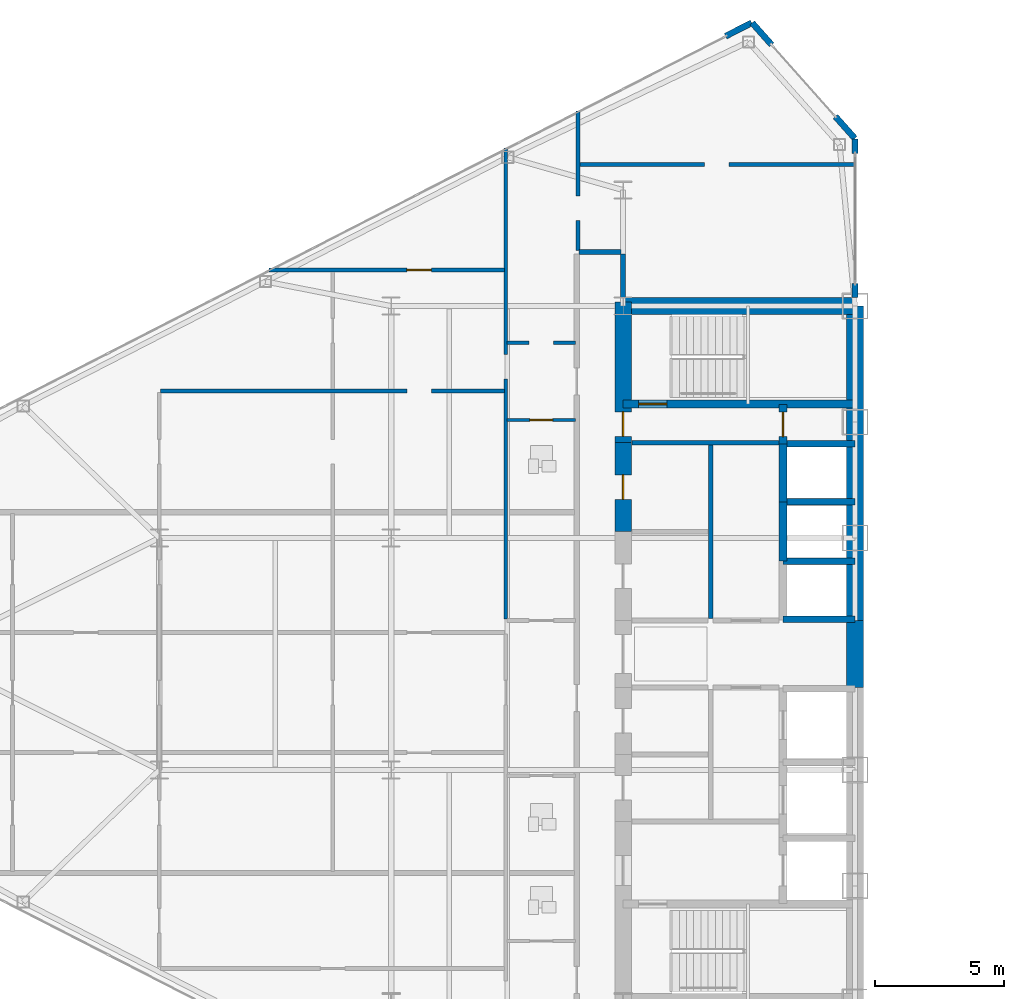
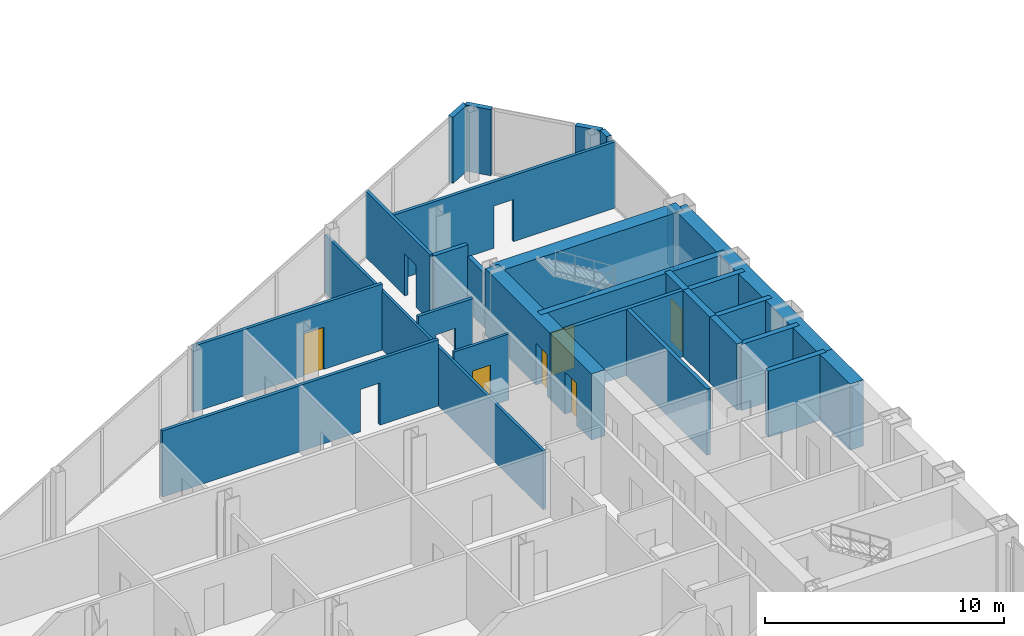
# One storey, part 18 of 24: 29 walls, 6 doors, 11 openings.
"""IFC4 building model written with IfcOpenShell, lengths in metres."""

from ifc_helpers import new_model, si_unit, direction, frame, frame_2d, origin, place, context, subcontext, project, spatial, rectangle, extrude, source, transform, mapped, material, layer, layer_set, type_object, type_shapes, element, fill, save


model = new_model("IFC4")

# Units and contexts
model_context = context("Model", 3, precision=1e-05, world=origin(), true_north=direction((0.0, 1.0)))
body_context = subcontext(model_context, "Body", "Model", "MODEL_VIEW")
ifc_project = project(units=[si_unit("LENGTHUNIT", "METRE"), si_unit("AREAUNIT", "SQUARE_METRE"), si_unit("VOLUMEUNIT", "CUBIC_METRE"), si_unit("PLANEANGLEUNIT", "RADIAN"), si_unit("MASSUNIT", "GRAM", prefix="KILO")], contexts=[model_context])

# Site, building, storey
site_placement = place(None, origin())
site = spatial("IfcSite", under=ifc_project, at=site_placement, CompositionType="ELEMENT")
building_placement = place(site_placement, origin())
building = spatial("IfcBuilding", under=site, at=building_placement, Name="Seokmaru Belvedere", CompositionType="ELEMENT")
storey_placement = place(building_placement, frame((0.0, 0.0, 114.0)))
storey = spatial("IfcBuildingStorey", under=building, at=storey_placement, Name="L30", CompositionType="ELEMENT", Elevation=114.0)

# Wall, opening
ifc_material_1 = material(Name="Fire-Rated Gypsum Shaftwall")
ifc_layer_1 = layer(ifc_material_1, 0.14990234375)
ifc_layer_set_1 = layer_set([ifc_layer_1], Name="Fire-Rated Gypsum Shaftwall")
wall_type_1 = type_object("IfcWallType", Name="Apartment Fire-Acoustic Room Partition 150", PredefinedType="PARTITIONING", material=ifc_layer_set_1)
wall_1_placement = place(storey_placement, frame((-54.449951171875, 10.199951171875, 0.0), z_axis=(0.0, 0.0, 1.0), x_axis=(1.0, 0.0, 0.0)))
wall_1 = element("IfcWall", 1, at=wall_1_placement, inside=storey, type_object=wall_type_1, Name="L30 Interior Partition 027", PredefinedType="PARTITIONING", context=body_context, shape_type="SweptSolid", body=[
    extrude(rectangle(XDim=13.349853515625, YDim=0.14990234375, at=frame_2d((6.6748046875, 0.0))), origin(), (0.0, 0.0, 1.0), 3.3798828125),
])
opening_1_placement = place(wall_1_placement, frame((9.5625, 0.0, 0.0)))
element("IfcOpeningElement", 2, at=opening_1_placement, cuts=wall_1, Name="L30 Cased Opening 029", PredefinedType="OPENING", context=body_context, shape_type="SweptSolid", body=[
    extrude(rectangle(XDim=0.949951171875, YDim=2.14990234375, at=frame_2d((0.47509765625, 1.074951171875))), frame((0.0, 0.0849609375, 0.0), z_axis=(0.0, -1.0, 0.0), x_axis=(1.0, 0.0, 0.0)), (0.0, 0.0, 1.0), 0.169921875),
])

wall_2_placement = place(storey_placement, frame((-41.0, 12.080078125, 0.0), z_axis=(0.0, 0.0, 1.0), x_axis=(1.0, 0.0, 0.0)))
wall_2 = element("IfcWall", 3, at=wall_2_placement, inside=storey, type_object=wall_type_1, Name="L30 Interior Partition 029", PredefinedType="PARTITIONING", context=body_context, shape_type="SweptSolid", body=[
    extrude(rectangle(XDim=2.64990234375, YDim=0.14990234375, at=frame_2d((1.324951171875, 0.0))), origin(), (0.0, 0.0, 1.0), 3.3798828125),
])
opening_2_placement = place(wall_2_placement, frame((0.85009765625, 0.0, 0.0)))
element("IfcOpeningElement", 4, at=opening_2_placement, cuts=wall_2, Name="L30 Cased Opening 027", PredefinedType="OPENING", context=body_context, shape_type="SweptSolid", body=[
    extrude(rectangle(XDim=0.949951171875, YDim=2.14990234375, at=frame_2d((0.47509765625, 1.074951171875))), frame((0.0, 0.0849609375, 0.0), z_axis=(0.0, -1.0, 0.0), x_axis=(1.0, 0.0, 0.0)), (0.0, 0.0, 1.0), 0.169921875),
])

# Wall, opening, door
wall_3_placement = place(storey_placement, frame((-50.242919921875, 14.89990234375, 0.0), z_axis=(0.0, 0.0, 1.0), x_axis=(1.0, 0.0, 0.0)))
wall_3 = element("IfcWall", 5, at=wall_3_placement, inside=storey, type_object=wall_type_1, Name="L30 Interior Partition 032", PredefinedType="PARTITIONING", context=body_context, shape_type="SweptSolid", body=[
    extrude(rectangle(XDim=9.142822265625, YDim=0.14990234375, at=frame_2d((4.5712890625, 0.0))), origin(), (0.0, 0.0, 1.0), 3.3798828125),
])
opening_3_placement = place(wall_3_placement, frame((5.35546875, 0.0, 0.0)))
opening_3 = element("IfcOpeningElement", 6, at=opening_3_placement, cuts=wall_3, Name="Opening D05", PredefinedType="OPENING", context=body_context, shape_type="SweptSolid", body=[
    extrude(rectangle(XDim=0.949951171875, YDim=2.14990234375, at=frame_2d((0.47509765625, 1.074951171875))), frame((0.0, 0.0849609375, 0.0), z_axis=(0.0, -1.0, 0.0), x_axis=(1.0, 0.0, 0.0)), (0.0, 0.0, 1.0), 0.169921875),
])
ifc_material_2 = material(Name="Engineered White Oak Timber", Category="wood")
door_type_1 = type_object("IfcDoorType", Name="Apartment Interior Fire-Rated Oak Door 950x2150", OperationType="NOTDEFINED", PredefinedType="DOOR", material=ifc_material_2)
shared_shape_1 = source(origin(), body_context, "Body", "SweptSolid", [
    extrude(rectangle(XDim=0.949951171875, YDim=2.14990234375, at=frame_2d((0.47509765625, 1.074951171875))), frame((0.0, 0.02490234375, 0.0), z_axis=(0.0, -1.0, 0.0), x_axis=(1.0, 0.0, 0.0)), (0.0, 0.0, 1.0), 0.050048828125),
])
type_shapes(door_type_1, [shared_shape_1])
door_1_placement = place(opening_3_placement, origin())
door_1 = element("IfcDoor", 7, at=door_1_placement, inside=storey, type_object=door_type_1, Name="L30 Interior Door 031", OperationType="SINGLE_SWING_RIGHT", OverallHeight=2.14990234375, OverallWidth=0.949951171875, PredefinedType="DOOR", context=body_context, shape_type="MappedRepresentation", body=[
    mapped(shared_shape_1, transform((0.0, 0.0, 0.0), scale=1.0)),
])
fill(opening_3, door_1)

# Wall, opening
wall_4_placement = place(storey_placement, frame((-38.199951171875, 19.0, 0.0), z_axis=(0.0, 0.0, 1.0), x_axis=(1.0, 0.0, 0.0)))
wall_4 = element("IfcWall", 8, at=wall_4_placement, inside=storey, type_object=wall_type_1, Name="L30 Interior Partition 035", PredefinedType="PARTITIONING", context=body_context, shape_type="SweptSolid", body=[
    extrude(rectangle(XDim=10.73486328125, YDim=0.14990234375, at=frame_2d((5.367431640625, 0.0))), origin(), (0.0, 0.0, 1.0), 3.3798828125),
])
opening_4_placement = place(wall_4_placement, frame((4.85009765625, 0.0, 0.0)))
element("IfcOpeningElement", 9, at=opening_4_placement, cuts=wall_4, Name="L30 Cased Opening 035", PredefinedType="OPENING", context=body_context, shape_type="SweptSolid", body=[
    extrude(rectangle(XDim=0.949951171875, YDim=2.14990234375, at=frame_2d((0.47509765625, 1.074951171875))), frame((0.0, 0.0849609375, 0.0), z_axis=(0.0, -1.0, 0.0), x_axis=(1.0, 0.0, 0.0)), (0.0, 0.0, 1.0), 0.169921875),
])

wall_5_placement = place(storey_placement, frame((-38.25, 15.64990234375, 0.0), z_axis=(0.0, 0.0, 1.0), x_axis=(0.0, 1.0, 0.0)))
wall_5 = element("IfcWall", 10, at=wall_5_placement, inside=storey, type_object=wall_type_1, Name="L30 Interior Partition 044", PredefinedType="PARTITIONING", context=body_context, shape_type="SweptSolid", body=[
    extrude(rectangle(XDim=5.421142578125, YDim=0.14990234375, at=frame_2d((2.71044921875, 0.0))), origin(), (0.0, 0.0, 1.0), 3.3798828125),
])
opening_5_placement = place(wall_5_placement, frame((1.175048828125, 0.0, 0.0)))
element("IfcOpeningElement", 11, at=opening_5_placement, cuts=wall_5, Name="L30 Cased Opening 034", PredefinedType="OPENING", context=body_context, shape_type="SweptSolid", body=[
    extrude(rectangle(XDim=0.949951171875, YDim=2.14990234375, at=frame_2d((0.47509765625, 1.074951171875))), frame((0.0, 0.0849609375, 0.0), z_axis=(0.0, -1.0, 0.0), x_axis=(1.0, 0.0, 0.0)), (0.0, 0.0, 1.0), 0.169921875),
])

# Walls
ifc_layer_2 = layer(ifc_material_1, 0.179931640625)
ifc_layer_set_2 = layer_set([ifc_layer_2], Name="Fire-Rated Gypsum Shaftwall")
wall_type_2 = type_object("IfcWallType", Name="Core Service Fire Partition 180", PredefinedType="PARTITIONING", material=ifc_layer_set_2)
wall_6_placement = place(storey_placement, frame((-36.14990234375, 8.199951171875, 0.0), z_axis=(0.0, 0.0, 1.0), x_axis=(1.0, 0.0, 0.0)))
element("IfcWall", 12, at=wall_6_placement, inside=storey, type_object=wall_type_2, Name="L30 West Smokeproof Vestibule Partition", PredefinedType="PARTITIONING", context=body_context, shape_type="SweptSolid", body=[
    extrude(rectangle(XDim=5.699951171875, YDim=0.179931640625, at=frame_2d((2.85009765625, 0.0))), origin(), (0.0, 0.0, 1.0), 3.3798828125),
])
wall_7_placement = place(storey_placement, frame((-33.10009765625, 1.3798828125, 0.0), z_axis=(0.0, 0.0, 1.0), x_axis=(0.0, 1.0, 0.0)))
element("IfcWall", 13, at=wall_7_placement, inside=storey, type_object=wall_type_2, Name="L30 West North Core Service Back Wall", PredefinedType="PARTITIONING", context=body_context, shape_type="SweptSolid", body=[
    extrude(rectangle(XDim=6.740234375, YDim=0.179931640625, at=frame_2d((3.3701171875, 0.0))), origin(), (0.0, 0.0, 1.0), 3.3798828125),
])
ifc_material_3 = material(Name="Concrete C50 (50 MPa)", Category="concrete")
ifc_layer_3 = layer(ifc_material_3, 0.25)
ifc_layer_set_3 = layer_set([ifc_layer_3], Name="Concrete C50 (50 MPa)")
wall_type_3 = type_object("IfcWallType", Name="Hoistway Transverse Concrete Divider Wall 250", PredefinedType="SHEAR", material=ifc_layer_set_3)
for number, where, z_axis, x_axis, name in (
    (14, (-30.300048828125, 1.35009765625, 0.0), (0.0, 0.0, 1.0), (1.0, 0.0, 0.0), "L30 West Hoistway Divider Core Wall 4"),
    (15, (-30.300048828125, 3.60009765625, 0.0), (0.0, 0.0, 1.0), (1.0, 0.0, 0.0), "L30 West Hoistway Divider Core Wall 5"),
    (16, (-30.300048828125, 5.89990234375, 0.0), (0.0, 0.0, 1.0), (1.0, 0.0, 0.0), "L30 West Hoistway Divider Core Wall 6"),
    (17, (-30.300048828125, 8.14990234375, 0.0), (0.0, 0.0, 1.0), (1.0, 0.0, 0.0), "L30 West Hoistway Divider Core Wall 7"),
):
    element("IfcWall", number, at=place(storey_placement, frame(where, z_axis=z_axis, x_axis=x_axis)), inside=storey, type_object=wall_type_3, Name=name, PredefinedType="SHEAR", context=body_context, shape_type="SweptSolid", body=[
        extrude(rectangle(XDim=2.800048828125, YDim=0.25, at=frame_2d((1.39990234375, 0.0))), origin(), (0.0, 0.0, 1.0), 3.3798828125),
    ])
ifc_layer_4 = layer(ifc_material_1, 0.199951171875)
ifc_layer_set_4 = layer_set([ifc_layer_4], Name="Fire-Rated Gypsum Shaftwall")
wall_type_4 = type_object("IfcWallType", Name="Inter-Tenancy Fire Compartment Partition 200", PredefinedType="PARTITIONING", material=ifc_layer_set_4)
wall_8_placement = place(storey_placement, frame((-38.215087890625, 15.60009765625, 0.0), z_axis=(0.0, 0.0, 1.0), x_axis=(1.0, 0.0, 0.0)))
element("IfcWall", 18, at=wall_8_placement, inside=storey, type_object=wall_type_4, Name="L30 Interior Partition 033", PredefinedType="PARTITIONING", context=body_context, shape_type="SweptSolid", body=[
    extrude(rectangle(XDim=1.630126953125, YDim=0.199951171875, at=frame_2d((0.81494140625, 0.0))), origin(), (0.0, 0.0, 1.0), 3.3798828125),
])
wall_9_placement = place(storey_placement, frame((-36.5, 13.830078125, 0.0), z_axis=(0.0, 0.0, 1.0), x_axis=(0.0, 1.0, 0.0)))
element("IfcWall", 19, at=wall_9_placement, inside=storey, type_object=wall_type_4, Name="L30 Interior Partition 046", PredefinedType="PARTITIONING", context=body_context, shape_type="SweptSolid", body=[
    extrude(rectangle(XDim=1.684814453125, YDim=0.199951171875, at=frame_2d((0.84228515625, 0.0))), origin(), (0.0, 0.0, 1.0), 2.780029296875),
])

# Wall, opening, door
ifc_layer_5 = layer(ifc_material_3, 0.300048828125)
ifc_layer_set_5 = layer_set([ifc_layer_5], Name="Concrete C50 (50 MPa)")
wall_type_5 = type_object("IfcWallType", Name="Internal Core Stair and Hoistway Wall 300", PredefinedType="SHEAR", material=ifc_layer_set_5)
wall_10_placement = place(storey_placement, frame((-36.5, 9.699951171875, 0.0), z_axis=(0.0, 0.0, 1.0), x_axis=(1.0, 0.0, 0.0)))
wall_10 = element("IfcWall", 20, at=wall_10_placement, inside=storey, type_object=wall_type_5, Name="L30 West Stair ST-2 Enclosure Wall", PredefinedType="SHEAR", context=body_context, shape_type="SweptSolid", body=[
    extrude(rectangle(XDim=9.0, YDim=0.300048828125, at=frame_2d((4.5, 0.0))), origin(), (0.0, 0.0, 1.0), 3.3798828125),
])
opening_6_placement = place(wall_10_placement, frame((0.60009765625, 0.0, 0.0)))
opening_6 = element("IfcOpeningElement", 21, at=opening_6_placement, cuts=wall_10, Name="Opening D01", PredefinedType="OPENING", context=body_context, shape_type="SweptSolid", body=[
    extrude(rectangle(XDim=1.10009765625, YDim=2.199951171875, at=frame_2d((0.550048828125, 1.10009765625))), frame((0.0, 0.16015625, 0.0), z_axis=(0.0, -1.0, 0.0), x_axis=(1.0, 0.0, 0.0)), (0.0, 0.0, 1.0), 0.320068359375),
])
ifc_material_4 = material(Name="Fire-Rated Steel Leaf", Category="steel")
door_type_2 = type_object("IfcDoorType", Name="Special Escape Stair Smokeproof Fire Door 1100x2200", OperationType="NOTDEFINED", PredefinedType="DOOR", material=ifc_material_4)
shared_shape_2 = source(origin(), body_context, "Body", "SweptSolid", [
    extrude(rectangle(XDim=1.10009765625, YDim=2.199951171875, at=frame_2d((0.550048828125, 1.10009765625))), frame((0.0, 0.02490234375, 0.0), z_axis=(0.0, -1.0, 0.0), x_axis=(1.0, 0.0, 0.0)), (0.0, 0.0, 1.0), 0.050048828125),
])
type_shapes(door_type_2, [shared_shape_2])
door_2_placement = place(opening_6_placement, origin())
door_2 = element("IfcDoor", 22, at=door_2_placement, inside=storey, type_object=door_type_2, Name="L30 West Special Escape Stair ST-2 Door", OperationType="SINGLE_SWING_RIGHT", OverallHeight=2.199951171875, OverallWidth=1.10009765625, PredefinedType="DOOR", context=body_context, shape_type="MappedRepresentation", body=[
    mapped(shared_shape_2, transform((0.0, 0.0, 0.0), scale=1.0)),
])
fill(opening_6, door_2)

# Walls
wall_11_placement = place(storey_placement, frame((-30.300048828125, 3.60009765625, 0.0), z_axis=(0.0, 0.0, 1.0), x_axis=(0.0, 1.0, 0.0)))
element("IfcWall", 23, at=wall_11_placement, inside=storey, type_object=wall_type_5, Name="L30 West North Hoistway Wall PH2", PredefinedType="SHEAR", context=body_context, shape_type="SweptSolid", body=[
    extrude(rectangle(XDim=2.2998046875, YDim=0.300048828125, at=frame_2d((1.14990234375, 0.0))), origin(), (0.0, 0.0, 1.0), 3.3798828125),
])
wall_12_placement = place(storey_placement, frame((-30.300048828125, 5.89990234375, 0.0), z_axis=(0.0, 0.0, 1.0), x_axis=(0.0, 1.0, 0.0)))
element("IfcWall", 24, at=wall_12_placement, inside=storey, type_object=wall_type_5, Name="L30 West North Hoistway Wall OBS", PredefinedType="SHEAR", context=body_context, shape_type="SweptSolid", body=[
    extrude(rectangle(XDim=2.25, YDim=0.300048828125, at=frame_2d((1.125, 0.0))), origin(), (0.0, 0.0, 1.0), 3.3798828125),
])

# Wall, opening, door
wall_13_placement = place(storey_placement, frame((-30.300048828125, 8.14990234375, 0.0), z_axis=(0.0, 0.0, 1.0), x_axis=(0.0, 1.0, 0.0)))
wall_13 = element("IfcWall", 25, at=wall_13_placement, inside=storey, type_object=wall_type_5, Name="L30 West Electrical Riser Front Wall", PredefinedType="SHEAR", context=body_context, shape_type="SweptSolid", body=[
    extrude(rectangle(XDim=1.530029296875, YDim=0.300048828125, at=frame_2d((0.76513671875, 0.0))), origin(), (0.0, 0.0, 1.0), 3.3798828125),
])
opening_7_placement = place(wall_13_placement, frame((0.284912109375, 0.0, 0.0)))
opening_7 = element("IfcOpeningElement", 26, at=opening_7_placement, cuts=wall_13, Name="Opening D04", PredefinedType="OPENING", context=body_context, shape_type="SweptSolid", body=[
    extrude(rectangle(XDim=0.949951171875, YDim=2.14990234375, at=frame_2d((0.47509765625, 1.074951171875))), frame((0.0, 0.16015625, 0.0), z_axis=(0.0, -1.0, 0.0), x_axis=(1.0, 0.0, 0.0)), (0.0, 0.0, 1.0), 0.320068359375),
])
door_type_3 = type_object("IfcDoorType", Name="Core Service Room Fire Door 950x2150", OperationType="NOTDEFINED", PredefinedType="DOOR", material=ifc_material_4)
shared_shape_3 = source(origin(), body_context, "Body", "SweptSolid", [
    extrude(rectangle(XDim=0.949951171875, YDim=2.14990234375, at=frame_2d((0.47509765625, 1.074951171875))), frame((0.0, 0.02490234375, 0.0), z_axis=(0.0, -1.0, 0.0), x_axis=(1.0, 0.0, 0.0)), (0.0, 0.0, 1.0), 0.050048828125),
])
type_shapes(door_type_3, [shared_shape_3])
door_3_placement = place(opening_7_placement, origin())
door_3 = element("IfcDoor", 27, at=door_3_placement, inside=storey, type_object=door_type_3, Name="L30 West Electrical Riser Access Door", OperationType="SINGLE_SWING_LEFT", OverallHeight=2.14990234375, OverallWidth=0.949951171875, PredefinedType="DOOR", context=body_context, shape_type="MappedRepresentation", body=[
    mapped(shared_shape_3, transform((0.0, 0.0, 0.0), scale=1.0)),
])
fill(opening_7, door_3)

# Walls
ifc_material_5 = material(Name="Concrete C60 (60 MPa)", Category="concrete")
ifc_layer_6 = layer(ifc_material_5, 0.64990234375)
ifc_layer_set_6 = layer_set([ifc_layer_6], Name="Concrete C60 (60 MPa)")
wall_type_6 = type_object("IfcWallType", Name="Mid-Low Reinforced Concrete Core Wall 650", PredefinedType="SHEAR", material=ifc_layer_set_6)
wall_14_placement = place(storey_placement, frame((-27.5, 1.300048828125, 0.0), z_axis=(0.0, 0.0, 1.0), x_axis=(0.0, 1.0, 0.0)))
element("IfcWall", 28, at=wall_14_placement, inside=storey, type_object=wall_type_6, Name="L30 West Portal Spine Core Wall North", PredefinedType="SHEAR", context=body_context, shape_type="SweptSolid", body=[
    extrude(rectangle(XDim=12.199951171875, YDim=0.64990234375, at=frame_2d((6.10009765625, 0.0))), origin(), (0.0, 0.0, 1.0), 3.3798828125),
])
wall_15_placement = place(storey_placement, frame((-27.5, -1.300048828125, 0.0), z_axis=(0.0, 0.0, 1.0), x_axis=(0.0, 1.0, 0.0)))
element("IfcWall", 29, at=wall_15_placement, inside=storey, type_object=wall_type_6, Name="L30 West Portal Spine Core Wall Center", PredefinedType="SHEAR", context=body_context, shape_type="SweptSolid", body=[
    extrude(rectangle(XDim=2.60009765625, YDim=0.64990234375, at=frame_2d((1.300048828125, 0.0))), origin(), (0.0, 0.0, 1.0), 3.3798828125),
])
wall_16_placement = place(storey_placement, frame((-36.5, 13.5, 0.0), z_axis=(0.0, 0.0, 1.0), x_axis=(1.0, 0.0, 0.0)))
element("IfcWall", 30, at=wall_16_placement, inside=storey, type_object=wall_type_6, Name="L30 West North Core Wall", PredefinedType="SHEAR", context=body_context, shape_type="SweptSolid", body=[
    extrude(rectangle(XDim=9.0, YDim=0.64990234375, at=frame_2d((4.5, 0.0))), origin(), (0.0, 0.0, 1.0), 3.3798828125),
])

# Wall, opening, door
wall_17_placement = place(storey_placement, frame((-36.5, 8.199951171875, 0.0), z_axis=(0.0, 0.0, 1.0), x_axis=(0.0, 1.0, 0.0)))
wall_17 = element("IfcWall", 31, at=wall_17_placement, inside=storey, type_object=wall_type_6, Name="L30 West West Core Wall VST", PredefinedType="SHEAR", context=body_context, shape_type="SweptSolid", body=[
    extrude(rectangle(XDim=5.449951171875, YDim=0.64990234375, at=frame_2d((2.72509765625, 0.0))), origin(), (0.0, 0.0, 1.0), 3.3798828125),
])
opening_8_placement = place(wall_17_placement, frame((0.2451171875, 0.0, 0.0)))
opening_8 = element("IfcOpeningElement", 32, at=opening_8_placement, cuts=wall_17, Name="Opening D04", PredefinedType="OPENING", context=body_context, shape_type="SweptSolid", body=[
    extrude(rectangle(XDim=0.949951171875, YDim=2.14990234375, at=frame_2d((0.47509765625, 1.074951171875))), frame((0.0, 0.3349609375, 0.0), z_axis=(0.0, -1.0, 0.0), x_axis=(1.0, 0.0, 0.0)), (0.0, 0.0, 1.0), 0.669921875),
])
door_4_placement = place(opening_8_placement, frame((0.949951171875, 0.0, 0.0), z_axis=(0.0, 0.0, 1.0), x_axis=(-1.0, 0.0, 0.0)))
door_4 = element("IfcDoor", 33, at=door_4_placement, inside=storey, type_object=door_type_3, Name="L30 West Smokeproof Vestibule Door", OperationType="SINGLE_SWING_RIGHT", OverallHeight=2.14990234375, OverallWidth=0.949951171875, PredefinedType="DOOR", context=body_context, shape_type="MappedRepresentation", body=[
    mapped(shared_shape_3, transform((0.0, 0.0, 0.0), scale=1.0)),
])
fill(opening_8, door_4)

wall_18_placement = place(storey_placement, frame((-36.5, 4.75, 0.0), z_axis=(0.0, 0.0, 1.0), x_axis=(0.0, 1.0, 0.0)))
wall_18 = element("IfcWall", 34, at=wall_18_placement, inside=storey, type_object=wall_type_6, Name="L30 West West Core Wall CS4", PredefinedType="SHEAR", context=body_context, shape_type="SweptSolid", body=[
    extrude(rectangle(XDim=3.449951171875, YDim=0.64990234375, at=frame_2d((1.72509765625, 0.0))), origin(), (0.0, 0.0, 1.0), 3.3798828125),
])
opening_9_placement = place(wall_18_placement, frame((1.25, 0.0, 0.0)))
opening_9 = element("IfcOpeningElement", 35, at=opening_9_placement, cuts=wall_18, Name="Opening D04", PredefinedType="OPENING", context=body_context, shape_type="SweptSolid", body=[
    extrude(rectangle(XDim=0.949951171875, YDim=2.14990234375, at=frame_2d((0.47509765625, 1.074951171875))), frame((0.0, 0.3349609375, 0.0), z_axis=(0.0, -1.0, 0.0), x_axis=(1.0, 0.0, 0.0)), (0.0, 0.0, 1.0), 0.669921875),
])
door_5_placement = place(opening_9_placement, origin())
door_5 = element("IfcDoor", 36, at=door_5_placement, inside=storey, type_object=door_type_3, Name="L30 West Core Service Room Door 4", OperationType="SINGLE_SWING_RIGHT", OverallHeight=2.14990234375, OverallWidth=0.949951171875, PredefinedType="DOOR", context=body_context, shape_type="MappedRepresentation", body=[
    mapped(shared_shape_3, transform((0.0, 0.0, 0.0), scale=1.0)),
])
fill(opening_9, door_5)

ifc_layer_7 = layer(ifc_material_1, 0.1298828125)
ifc_layer_set_7 = layer_set([ifc_layer_7], Name="Fire-Rated Gypsum Shaftwall")
wall_type_7 = type_object("IfcWallType", Name="Moisture-Resistant Fire-Rated Bathroom Partition 130", PredefinedType="PARTITIONING", material=ifc_layer_set_7)
wall_19_placement = place(storey_placement, frame((-41.0, 9.080078125, 0.0), z_axis=(0.0, 0.0, 1.0), x_axis=(1.0, 0.0, 0.0)))
wall_19 = element("IfcWall", 37, at=wall_19_placement, inside=storey, type_object=wall_type_7, Name="L30 Interior Partition 025", PredefinedType="PARTITIONING", context=body_context, shape_type="SweptSolid", body=[
    extrude(rectangle(XDim=2.64990234375, YDim=0.1298828125, at=frame_2d((1.324951171875, 0.0))), origin(), (0.0, 0.0, 1.0), 3.3798828125),
])
opening_10_placement = place(wall_19_placement, frame((0.885009765625, 0.0, 0.0)))
opening_10 = element("IfcOpeningElement", 38, at=opening_10_placement, cuts=wall_19, Name="Opening D06", PredefinedType="OPENING", context=body_context, shape_type="SweptSolid", body=[
    extrude(rectangle(XDim=0.8798828125, YDim=2.10009765625, at=frame_2d((0.43994140625, 1.050048828125))), frame((0.0, 0.074951171875, 0.0), z_axis=(0.0, -1.0, 0.0), x_axis=(1.0, 0.0, 0.0)), (0.0, 0.0, 1.0), 0.14990234375),
])
door_type_4 = type_object("IfcDoorType", Name="Bathroom and Restroom Fire-Rated Door 880x2100", OperationType="NOTDEFINED", PredefinedType="DOOR", material=ifc_material_2)
shared_shape_4 = source(origin(), body_context, "Body", "SweptSolid", [
    extrude(rectangle(XDim=0.8798828125, YDim=2.10009765625, at=frame_2d((0.43994140625, 1.050048828125))), frame((0.0, 0.02490234375, 0.0), z_axis=(0.0, -1.0, 0.0), x_axis=(1.0, 0.0, 0.0)), (0.0, 0.0, 1.0), 0.050048828125),
])
type_shapes(door_type_4, [shared_shape_4])
door_6_placement = place(opening_10_placement, origin())
door_6 = element("IfcDoor", 39, at=door_6_placement, inside=storey, type_object=door_type_4, Name="L30 Interior Door 026", OperationType="SINGLE_SWING_LEFT", OverallHeight=2.10009765625, OverallWidth=0.8798828125, PredefinedType="DOOR", context=body_context, shape_type="MappedRepresentation", body=[
    mapped(shared_shape_4, transform((0.0, 0.0, 0.0), scale=1.0)),
])
fill(opening_10, door_6)

# Wall, opening
wall_20_placement = place(storey_placement, frame((-41.050048828125, 1.35205078125, 0.0), z_axis=(0.0, 0.0, 1.0), x_axis=(0.0, 1.0, 0.0)))
wall_20 = element("IfcWall", 40, at=wall_20_placement, inside=storey, type_object=wall_type_7, Name="L30 Interior Partition 041", PredefinedType="PARTITIONING", context=body_context, shape_type="SweptSolid", body=[
    extrude(rectangle(XDim=18.281982421875, YDim=0.1298828125, at=frame_2d((9.14111328125, 0.0))), origin(), (0.0, 0.0, 1.0), 2.989990234375),
])
opening_11_placement = place(wall_20_placement, frame((9.3115234375, 0.0, 0.0)))
element("IfcOpeningElement", 41, at=opening_11_placement, cuts=wall_20, Name="L30 Cased Opening 028", PredefinedType="OPENING", context=body_context, shape_type="SweptSolid", body=[
    extrude(rectangle(XDim=0.949951171875, YDim=2.14990234375, at=frame_2d((0.47509765625, 1.074951171875))), frame((0.0, 0.074951171875, 0.0), z_axis=(0.0, -1.0, 0.0), x_axis=(1.0, 0.0, 0.0)), (0.0, 0.0, 1.0), 0.14990234375),
])

# Walls
ifc_material_6 = material(Name="Anodised Bronze Aluminium", Category="aluminium")
ifc_layer_8 = layer(ifc_material_6, 0.239990234375)
ifc_layer_set_8 = layer_set([ifc_layer_8], Name="Anodised Bronze Aluminium")
wall_type_8 = type_object("IfcWallType", Name="Tower Corner Spandrel Closure Wall 240", PredefinedType="SOLIDWALL", material=ifc_layer_set_8)
wall_21_placement = place(storey_placement, frame((-27.5, 13.830078125, 0.0), z_axis=(0.0, 0.0, 1.0), x_axis=(0.0, 1.0, 0.0)))
element("IfcWall", 42, at=wall_21_placement, inside=storey, type_object=wall_type_8, Name="L30 W Spine Closure Pier 2A", PredefinedType="SOLIDWALL", context=body_context, shape_type="SweptSolid", body=[
    extrude(rectangle(XDim=0.5498046875, YDim=0.239990234375, at=frame_2d((0.27490234375, 0.0))), origin(), (0.0, 0.0, 1.0), 2.8798828125),
])
wall_22_placement = place(storey_placement, frame((-27.5, 19.429931640625, 0.0), z_axis=(0.0, 0.0, 1.0), x_axis=(0.0, 1.0, 0.0)))
element("IfcWall", 43, at=wall_22_placement, inside=storey, type_object=wall_type_8, Name="L30 W Spine Closure Pier 2B", PredefinedType="SOLIDWALL", context=body_context, shape_type="SweptSolid", body=[
    extrude(rectangle(XDim=0.550048828125, YDim=0.239990234375, at=frame_2d((0.27490234375, 0.0))), origin(), (0.0, 0.0, 1.0), 3.3798828125),
])
for number, where, z_axis, x_axis, name in (
    (44, (-27.506591796875, 20.007568359375, 0.0), (0.0, 0.0, 1.0), (-0.664337252513, 0.747432950119, 0.0), "L30 W Corner Closure Pier 2A"),
    (45, (-30.736083984375, 23.640380859375, 0.0), (0.0, 0.0, 1.0), (-0.664337252513, 0.747432950119, 0.0), "L30 W Corner Closure Pier 2B"),
):
    element("IfcWall", number, at=place(storey_placement, frame(where, z_axis=z_axis, x_axis=x_axis)), inside=storey, type_object=wall_type_8, Name=name, PredefinedType="SOLIDWALL", context=body_context, shape_type="SweptSolid", body=[
        extrude(rectangle(XDim=1.139892578125, YDim=0.239990234375, at=frame_2d((0.56982421875, 0.0))), origin(), (0.0, 0.0, 1.0), 3.3798828125),
    ])
wall_23_placement = place(storey_placement, frame((-31.5087890625, 24.495361328125, 0.0), z_axis=(0.0, 0.0, 1.0), x_axis=(-0.889797395748, -0.456355776255, 0.0)))
element("IfcWall", 46, at=wall_23_placement, inside=storey, type_object=wall_type_8, Name="L30 W Corner Closure Pier 3A", PredefinedType="SOLIDWALL", context=body_context, shape_type="SweptSolid", body=[
    extrude(rectangle(XDim=1.14013671875, YDim=0.239990234375, at=frame_2d((0.570068359375, 0.0))), origin(), (0.0, 0.0, 1.0), 3.3798828125),
])

save(model, "model.ifc")
